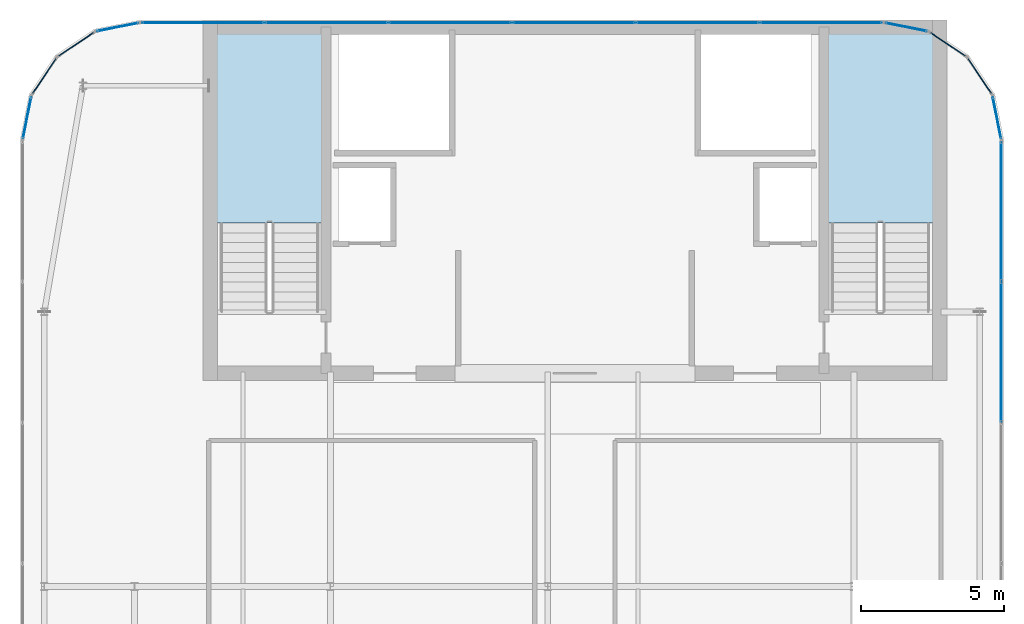
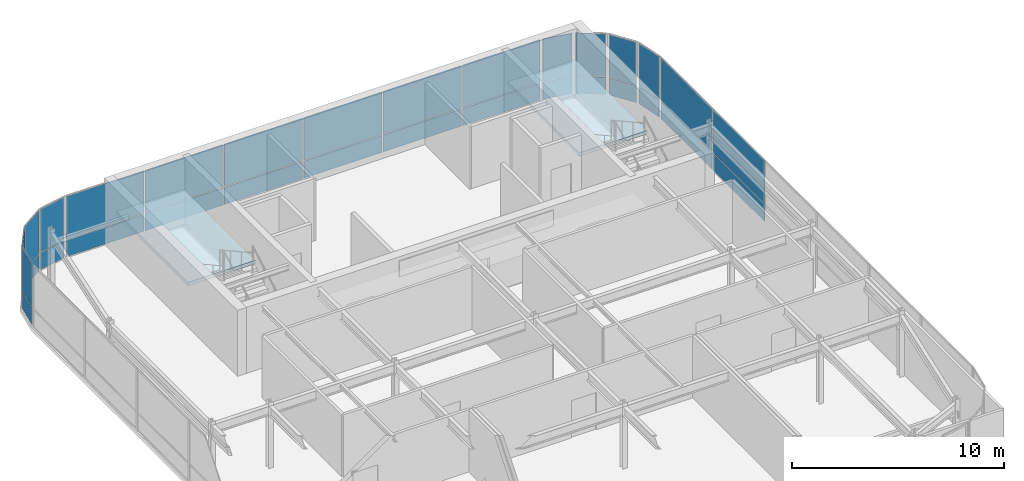
# One storey, part 30 of 36: 32 plates, 2 slabs, 12 elements without a shape of their own.
"""IFC4 building model written with IfcOpenShell, lengths in metres."""

import ifcopenshell
import ifcopenshell.guid

model = None  # the IFC model being written
_history = None  # IfcOwnerHistory: only IFC2X3 demands one
_inside = {}  # id of a spatial element -> (the spatial element, [elements in it])
_under = {}  # id of a project, library or spatial element -> (it, [spatial elements below it])
_declared = {}  # id of a project -> (the project, [libraries it declares])
_typed = {}  # id of a type object -> (the type object, [elements of that type])
_made_of = {}  # id of a material, layer set ... -> (it, [elements and type objects made of it])


def new_model(schema):
    """Start an empty IFC model of exactly this schema.

    Asked for "IFC4X3", IfcOpenShell would pick the latest addendum, in which some entities
    have other attributes; the version numbers below select the first issue.
    IFC2X3 requires an IfcOwnerHistory on every rooted entity: one is made here for all.
    """
    global model, _history
    if schema == "IFC4X3":
        model = ifcopenshell.file(schema_version=(4, 3, 0, 0))
    else:
        model = ifcopenshell.file(schema=schema)
    _inside.clear()
    _under.clear()
    _declared.clear()
    _typed.clear()
    _made_of.clear()
    _history = None
    if model.schema == "IFC2X3":
        org = make("IfcOrganization", Name="unknown")
        user = make(
            "IfcPersonAndOrganization",
            ThePerson=make("IfcPerson", FamilyName="unknown"),
            TheOrganization=org,
        )
        app = make(
            "IfcApplication",
            ApplicationDeveloper=org,
            Version="unknown",
            ApplicationFullName="unknown",
            ApplicationIdentifier="unknown",
        )
        _history = make(
            "IfcOwnerHistory",
            OwningUser=user,
            OwningApplication=app,
            ChangeAction="ADDED",
            CreationDate=0,
        )
    return model


def make(cls, **values):
    """One entity of the class cls with the attributes given. An attribute that is None is left unset."""
    return model.create_entity(
        cls, **{name: value for name, value in values.items() if value is not None}
    )


def rooted(cls, **values):
    """An entity with a GlobalId (a new one), such as an element, a storey or a relation."""
    return make(cls, GlobalId=ifcopenshell.guid.new(), OwnerHistory=_history, **values)


def si_unit(unit_type, name, prefix=None):
    """IfcSIUnit, for example si_unit("LENGTHUNIT", "METRE", prefix="MILLI")."""
    return make("IfcSIUnit", UnitType=unit_type, Prefix=prefix, Name=name)


def assignment(units):
    """IfcUnitAssignment: the units of a project."""
    return None if units is None else make("IfcUnitAssignment", Units=units)


def point(xyz):
    """IfcCartesianPoint."""
    return None if xyz is None else make("IfcCartesianPoint", Coordinates=xyz)


def direction(xyz):
    """IfcDirection."""
    return None if xyz is None else make("IfcDirection", DirectionRatios=xyz)


def frame(location, z_axis=None, x_axis=None):
    """IfcAxis2Placement3D, a coordinate frame: its origin and axes. An axis left out is left unset."""
    return make(
        "IfcAxis2Placement3D",
        Location=point(location),
        Axis=direction(z_axis),
        RefDirection=direction(x_axis),
    )


def frame_2d(location, x_axis=None):
    """IfcAxis2Placement2D, a coordinate frame in the plane: its origin and x axis."""
    return make(
        "IfcAxis2Placement2D", Location=point(location), RefDirection=direction(x_axis)
    )


def origin():
    """The frame at (0, 0, 0) with its axes left unset."""
    return frame((0.0, 0.0, 0.0))


def origin_2d():
    """The frame at (0, 0) in the plane with its x axis left unset."""
    return frame_2d((0.0, 0.0))


def place(relative_to, where):
    """IfcLocalPlacement: puts the frame where relative to a parent placement (None: the world)."""
    return make(
        "IfcLocalPlacement", PlacementRelTo=relative_to, RelativePlacement=where
    )


def context(
    kind, dimensions, precision=None, world=None, true_north=None, identifier=None
):
    """IfcGeometricRepresentationContext, for example the 3D "Model" context."""
    return make(
        "IfcGeometricRepresentationContext",
        ContextIdentifier=identifier,
        ContextType=kind,
        CoordinateSpaceDimension=dimensions,
        Precision=precision,
        WorldCoordinateSystem=world,
        TrueNorth=true_north,
    )


def subcontext(parent, identifier, kind, view, scale=None):
    """IfcGeometricRepresentationSubContext, for example "Body" below "Model"."""
    return make(
        "IfcGeometricRepresentationSubContext",
        ContextIdentifier=identifier,
        ContextType=kind,
        ParentContext=parent,
        TargetScale=scale,
        TargetView=view,
    )


def project(units=None, contexts=None):
    """IfcProject with its units and contexts."""
    return rooted(
        "IfcProject",
        Name="project",
        RepresentationContexts=contexts,
        UnitsInContext=assignment(units),
    )


def spatial(cls, under=None, at=None, **own):
    """A site, building, storey or space (cls), placed at a placement, below another one or the project."""
    s = rooted(cls, ObjectPlacement=at, **own)
    if under is not None:
        _under.setdefault(under.id(), (under, []))[1].append(s)
    return s


def polyline(points):
    """IfcPolyline through the points."""
    return make("IfcPolyline", Points=[point(p) for p in points])


def profile(cls, at=None, kind="AREA", **sizes):
    """A parametric profile (cls). Its sizes go by their IFC names, for example OverallWidth=200.0."""
    return make(cls, ProfileType=kind, Position=at, **sizes)


def rectangle(**sizes):
    """IfcRectangleProfileDef."""
    return profile("IfcRectangleProfileDef", **sizes)


def outline(outer, holes=None, kind="AREA"):
    """IfcArbitraryClosedProfileDef: a profile drawn as a closed curve; with holes, ...WithVoids."""
    if holes is None:
        return make("IfcArbitraryClosedProfileDef", ProfileType=kind, OuterCurve=outer)
    return make(
        "IfcArbitraryProfileDefWithVoids",
        ProfileType=kind,
        OuterCurve=outer,
        InnerCurves=holes,
    )


def extrude(swept, where, along, depth):
    """IfcExtrudedAreaSolid: the profile swept, set in the frame where, extruded along a direction by depth."""
    return make(
        "IfcExtrudedAreaSolid",
        SweptArea=swept,
        Position=where,
        ExtrudedDirection=direction(along),
        Depth=depth,
    )


def shape(context_of_items, identifier, shape_type, items):
    """IfcShapeRepresentation: the items that make up one representation, for example the "Body"."""
    return make(
        "IfcShapeRepresentation",
        ContextOfItems=context_of_items,
        RepresentationIdentifier=identifier,
        RepresentationType=shape_type,
        Items=items,
    )


def source(mapping_origin, context_of_items, identifier, shape_type, items):
    """IfcRepresentationMap: a shape defined once, which mapped items show again and again."""
    return make(
        "IfcRepresentationMap",
        MappingOrigin=mapping_origin,
        MappedRepresentation=shape(context_of_items, identifier, shape_type, items),
    )


def transform(
    local_origin,
    x_axis=None,
    y_axis=None,
    z_axis=None,
    scale=None,
    scale2=None,
    scale3=None,
    uniform=True,
):
    """IfcCartesianTransformationOperator3D, or its non-uniform kind. x_axis, y_axis, z_axis: its Axis1, 2, 3."""
    if uniform:
        return make(
            "IfcCartesianTransformationOperator3D",
            Axis1=direction(x_axis),
            Axis2=direction(y_axis),
            LocalOrigin=point(local_origin),
            Scale=scale,
            Axis3=direction(z_axis),
        )
    return make(
        "IfcCartesianTransformationOperator3DnonUniform",
        Axis1=direction(x_axis),
        Axis2=direction(y_axis),
        LocalOrigin=point(local_origin),
        Scale=scale,
        Axis3=direction(z_axis),
        Scale2=scale2,
        Scale3=scale3,
    )


def mapped(mapping_source, mapping_target):
    """IfcMappedItem: shows the shape of a source again, moved by a transform."""
    return make(
        "IfcMappedItem", MappingSource=mapping_source, MappingTarget=mapping_target
    )


def material(Name=None, Category=None):
    """IfcMaterial."""
    return make("IfcMaterial", Name=Name, Category=Category)


def layer(
    of_material, thickness, ventilated=None, Name=None, Category=None, Priority=None
):
    """IfcMaterialLayer: one layer of a wall or slab, of a material (None: an air gap)."""
    return make(
        "IfcMaterialLayer",
        Material=of_material,
        LayerThickness=thickness,
        IsVentilated=ventilated,
        Name=Name,
        Category=Category,
        Priority=Priority,
    )


def layer_set(layers, Name=None):
    """IfcMaterialLayerSet."""
    return make("IfcMaterialLayerSet", MaterialLayers=layers, LayerSetName=Name)


def made_of(thing, what):
    """Note that an element or type object is made of a material, layer set ...; save() writes the relation."""
    if what is not None:
        _made_of.setdefault(what.id(), (what, []))[1].append(thing)
    return thing


def type_object(cls, material=None, **own):
    """A type object (cls), such as IfcWallType, which elements share."""
    return made_of(rooted(cls, **own), material)


def type_shapes(of_type, sources):
    """Give a type object the sources (RepresentationMaps) that its elements show as mapped items."""
    of_type.RepresentationMaps = sources


def element(
    cls,
    number,
    at=None,
    inside=None,
    cuts=None,
    type_object=None,
    material=None,
    context=None,
    identifier="Body",
    shape_type=None,
    held_by="IfcProductDefinitionShape",
    body=None,
    shapes=None,
    **own,
):
    """One element of the class cls, such as IfcWall. Its Tag is "e" and its number.

    at: its placement. inside: the storey or other place that contains it. cuts: it is an
    opening in that element (IfcRelVoidsElement). A single representation is given by context,
    identifier, shape_type and body (its items); several are given by shapes. held_by: the class
    of the entity that holds the representations. save() writes the other relations.
    """
    e = rooted(cls, Tag="e%d" % number, ObjectPlacement=at, **own)
    if body is not None:
        shapes = [shape(context, identifier, shape_type, body)]
    if shapes is not None:
        e.Representation = make(held_by, Representations=shapes)
    if inside is not None:
        _inside.setdefault(inside.id(), (inside, []))[1].append(e)
    if cuts is not None:
        rooted(
            "IfcRelVoidsElement", RelatingBuildingElement=cuts, RelatedOpeningElement=e
        )
    if type_object is not None:
        _typed.setdefault(type_object.id(), (type_object, []))[1].append(e)
    return made_of(e, material)


def aggregate(whole, parts):
    """IfcRelAggregates: a whole, such as a stair, and the parts it consists of."""
    return rooted("IfcRelAggregates", RelatingObject=whole, RelatedObjects=parts)


def save(model, path):
    """Write the relations noted so far, then the file.

    IfcRelAggregates (storeys below a building ...), IfcRelContainedInSpatialStructure (elements
    in a storey), IfcRelDefinesByType, IfcRelAssociatesMaterial and IfcRelDeclares: one each for
    every whole, place, type object, material and project.
    """
    for whole, parts in _under.values():
        aggregate(whole, parts)
    for where, things in _inside.values():
        rooted(
            "IfcRelContainedInSpatialStructure",
            RelatedElements=things,
            RelatingStructure=where,
        )
    for kind, things in _typed.values():
        rooted("IfcRelDefinesByType", RelatedObjects=things, RelatingType=kind)
    for what, things in _made_of.values():
        rooted("IfcRelAssociatesMaterial", RelatedObjects=things, RelatingMaterial=what)
    for by, libraries in _declared.values():
        rooted("IfcRelDeclares", RelatingContext=by, RelatedDefinitions=libraries)
    model.write(path)


model = new_model("IFC4")

# Units and contexts
model_context = context("Model", 3, precision=1e-05, world=origin(), true_north=direction((0.0, 1.0)))
body_context = subcontext(model_context, "Body", "Model", "MODEL_VIEW")
ifc_project = project(units=[si_unit("LENGTHUNIT", "METRE"), si_unit("AREAUNIT", "SQUARE_METRE"), si_unit("VOLUMEUNIT", "CUBIC_METRE"), si_unit("PLANEANGLEUNIT", "RADIAN"), si_unit("MASSUNIT", "GRAM", prefix="KILO")], contexts=[model_context])

# Site, building, storey
site_placement = place(None, origin())
site = spatial("IfcSite", under=ifc_project, at=site_placement, CompositionType="ELEMENT")
building_placement = place(site_placement, origin())
building = spatial("IfcBuilding", under=site, at=building_placement, Name="Tolvann Quenvar Hotel", CompositionType="ELEMENT")
storey_placement = place(building_placement, frame((0.0, 0.0, 306.14990234375)))
storey = spatial("IfcBuildingStorey", under=building, at=storey_placement, Name="L81", CompositionType="ELEMENT", Elevation=306.14990234375)

# Stair, slab
ifc_material_1 = material(Name="Concrete N40 (40 MPa)", Category="concrete")
stair_type = type_object("IfcStairType", Name="STAIR", PredefinedType="HALF_TURN_STAIR", material=ifc_material_1)
stair_1_placement = place(storey_placement, origin())
stair_1 = element("IfcStair", 1, at=stair_1_placement, inside=storey, type_object=stair_type, Name="L81 ST-C1", PredefinedType="HALF_TURN_STAIR")
ifc_layer_1 = layer(ifc_material_1, 0.199951171875)
ifc_layer_set_1 = layer_set([ifc_layer_1], Name="Concrete N40 (40 MPa)")
slab_type = type_object("IfcSlabType", Name="SLAB_LANDING", PredefinedType="LANDING", material=ifc_layer_set_1)
slab_1_placement = place(storey_placement, frame((0.0, 0.0, 1.7001953125)))
slab_1 = element("IfcSlab", 2, at=slab_1_placement, type_object=slab_type, Name="ST-C1 landing 1", PredefinedType="LANDING", context=body_context, shape_type="SweptSolid", body=[
    extrude(outline(polyline([(14.179931640625, 37.10498046875), (14.179931640625, 43.8798828125), (10.469970703125, 43.8798828125), (10.469970703125, 37.10498046875), (14.179931640625, 37.10498046875)])), origin(), (0.0, 0.0, 1.0), 0.199951171875),
])
aggregate(stair_1, [slab_1])

stair_2_placement = place(storey_placement, origin())
stair_2 = element("IfcStair", 3, at=stair_2_placement, inside=storey, type_object=stair_type, Name="L81 ST-C2", PredefinedType="HALF_TURN_STAIR")
slab_2_placement = place(storey_placement, frame((0.0, 0.0, 1.7001953125)))
slab_2 = element("IfcSlab", 4, at=slab_2_placement, type_object=slab_type, Name="ST-C2 landing 1", PredefinedType="LANDING", context=body_context, shape_type="SweptSolid", body=[
    extrude(outline(polyline([(35.530029296875, 37.10498046875), (35.530029296875, 43.8798828125), (31.820068359375, 43.8798828125), (31.820068359375, 37.10498046875), (35.530029296875, 37.10498046875)])), origin(), (0.0, 0.0, 1.0), 0.199951171875),
])
aggregate(stair_2, [slab_2])

# Curtain wall, plate
ifc_material_2 = material(Name="Thermally broken anodised architectural aluminium 6063-T6 and laminated low-E glass", Category="aluminium")
ifc_layer_2 = layer(ifc_material_2, 0.179931640625)
ifc_layer_set_2 = layer_set([ifc_layer_2], Name="Thermally broken anodised architectural aluminium 6063-T6 and laminated low-E glass")
curtain_wall_type = type_object("IfcCurtainWallType", Name="CW_SYS_LANT_06", PredefinedType="USERDEFINED", material=ifc_layer_set_2)
curtain_wall_1_placement = place(storey_placement, origin())
curtain_wall_1 = element("IfcCurtainWall", 5, at=curtain_wall_1_placement, inside=storey, type_object=curtain_wall_type, Name="Curtain Wall CW-LANT-06 (CWR-L81-E11)", ObjectType="UNITISED CURTAIN WALL", PredefinedType="USERDEFINED")
ifc_material_3 = material(Name="Diffused translucent ceramic-frit laminated lantern glass", Category="glass")
ifc_layer_3 = layer(ifc_material_3, 0.031982421875)
ifc_layer_set_3 = layer_set([ifc_layer_3], Name="Diffused translucent ceramic-frit laminated lantern glass")
plate_type = type_object("IfcPlateType", Name="CW_PAN_LANT_32", PredefinedType="CURTAIN_PANEL", material=ifc_layer_set_3)
shared_shape_1 = source(origin(), body_context, "Body", "SweptSolid", [
    extrude(rectangle(XDim=1.439208984375, YDim=0.031982421875, at=origin_2d()), origin(), (0.0, 0.0, 1.0), 0.97509765625),
])
plate_1_placement = place(storey_placement, frame((37.150146484375, 42.238525390625, 0.050048828125), z_axis=(0.0, 0.0, 1.0), x_axis=(-0.555655769644, 0.831412452193, 0.0)))
plate_1 = element("IfcPlate", 6, at=plate_1_placement, type_object=plate_type, Name="CW-LANT-06 panel 1.1", PredefinedType="CURTAIN_PANEL", context=body_context, shape_type="MappedRepresentation", body=[
    mapped(shared_shape_1, transform((0.0, 0.0, 0.0), x_axis=(1.0, 0.0, 0.0), y_axis=(0.0, 1.0, 0.0), z_axis=(0.0, 0.0, 1.0), scale=1.0)),
])

curtain_wall_2_placement = place(storey_placement, origin())
curtain_wall_2 = element("IfcCurtainWall", 7, at=curtain_wall_2_placement, inside=storey, type_object=curtain_wall_type, Name="Curtain Wall CW-LANT-06 (CWR-L81-E12)", ObjectType="UNITISED CURTAIN WALL", PredefinedType="USERDEFINED")
plate_2_placement = place(storey_placement, frame((36.03857421875, 43.350341796875, 0.050048828125), z_axis=(0.0, 0.0, 1.0), x_axis=(-0.831412452193, 0.555655769644, 0.0)))
plate_2 = element("IfcPlate", 8, at=plate_2_placement, type_object=plate_type, Name="CW-LANT-06 panel 1.1", PredefinedType="CURTAIN_PANEL", context=body_context, shape_type="MappedRepresentation", body=[
    mapped(shared_shape_1, transform((0.0, 0.0, 0.0), x_axis=(1.0, 0.0, 0.0), y_axis=(0.0, 1.0, 0.0), z_axis=(0.0, 0.0, 1.0), scale=1.0)),
])

curtain_wall_3_placement = place(storey_placement, origin())
curtain_wall_3 = element("IfcCurtainWall", 9, at=curtain_wall_3_placement, inside=storey, type_object=curtain_wall_type, Name="Curtain Wall CW-LANT-06 (CWR-L81-E16)", ObjectType="UNITISED CURTAIN WALL", PredefinedType="USERDEFINED")
plate_3_placement = place(storey_placement, frame((5.5615234375, 43.350341796875, 0.050048828125), z_axis=(0.0, 0.0, 1.0), x_axis=(-0.831412452193, -0.555655769644, 0.0)))
plate_3 = element("IfcPlate", 10, at=plate_3_placement, type_object=plate_type, Name="CW-LANT-06 panel 1.1", PredefinedType="CURTAIN_PANEL", context=body_context, shape_type="MappedRepresentation", body=[
    mapped(shared_shape_1, transform((0.0, 0.0, 0.0), x_axis=(1.0, 0.0, 0.0), y_axis=(0.0, 1.0, 0.0), z_axis=(0.0, 0.0, 1.0), scale=1.0)),
])

curtain_wall_4_placement = place(storey_placement, origin())
curtain_wall_4 = element("IfcCurtainWall", 11, at=curtain_wall_4_placement, inside=storey, type_object=curtain_wall_type, Name="Curtain Wall CW-LANT-06 (CWR-L81-E17)", ObjectType="UNITISED CURTAIN WALL", PredefinedType="USERDEFINED")
plate_4_placement = place(storey_placement, frame((4.44970703125, 42.238525390625, 0.050048828125), z_axis=(0.0, 0.0, 1.0), x_axis=(-0.555655769644, -0.831412452193, 0.0)))
plate_4 = element("IfcPlate", 12, at=plate_4_placement, type_object=plate_type, Name="CW-LANT-06 panel 1.1", PredefinedType="CURTAIN_PANEL", context=body_context, shape_type="MappedRepresentation", body=[
    mapped(shared_shape_1, transform((0.0, 0.0, 0.0), x_axis=(1.0, 0.0, 0.0), y_axis=(0.0, 1.0, 0.0), z_axis=(0.0, 0.0, 1.0), scale=1.0)),
])

# Plate
shared_shape_2 = source(origin(), body_context, "Body", "SweptSolid", [
    extrude(rectangle(XDim=1.439208984375, YDim=0.031982421875, at=origin_2d()), origin(), (0.0, 0.0, 1.0), 2.455078125),
])
plate_5_placement = place(storey_placement, frame((37.150146484375, 42.238525390625, 1.074951171875), z_axis=(0.0, 0.0, 1.0), x_axis=(-0.555655769644, 0.831412452193, 0.0)))
plate_5 = element("IfcPlate", 13, at=plate_5_placement, type_object=plate_type, Name="CW-LANT-06 panel 1.2", PredefinedType="CURTAIN_PANEL", context=body_context, shape_type="MappedRepresentation", body=[
    mapped(shared_shape_2, transform((0.0, 0.0, 0.0), x_axis=(1.0, 0.0, 0.0), y_axis=(0.0, 1.0, 0.0), z_axis=(0.0, 0.0, 1.0), scale=1.0)),
])

aggregate(curtain_wall_1, [plate_1, plate_5])

plate_6_placement = place(storey_placement, frame((36.03857421875, 43.350341796875, 1.074951171875), z_axis=(0.0, 0.0, 1.0), x_axis=(-0.831412452193, 0.555655769644, 0.0)))
plate_6 = element("IfcPlate", 14, at=plate_6_placement, type_object=plate_type, Name="CW-LANT-06 panel 1.2", PredefinedType="CURTAIN_PANEL", context=body_context, shape_type="MappedRepresentation", body=[
    mapped(shared_shape_2, transform((0.0, 0.0, 0.0), x_axis=(1.0, 0.0, 0.0), y_axis=(0.0, 1.0, 0.0), z_axis=(0.0, 0.0, 1.0), scale=1.0)),
])

aggregate(curtain_wall_2, [plate_2, plate_6])

plate_7_placement = place(storey_placement, frame((5.5615234375, 43.350341796875, 1.074951171875), z_axis=(0.0, 0.0, 1.0), x_axis=(-0.831412452193, -0.555655769644, 0.0)))
plate_7 = element("IfcPlate", 15, at=plate_7_placement, type_object=plate_type, Name="CW-LANT-06 panel 1.2", PredefinedType="CURTAIN_PANEL", context=body_context, shape_type="MappedRepresentation", body=[
    mapped(shared_shape_2, transform((0.0, 0.0, 0.0), x_axis=(1.0, 0.0, 0.0), y_axis=(0.0, 1.0, 0.0), z_axis=(0.0, 0.0, 1.0), scale=1.0)),
])

aggregate(curtain_wall_3, [plate_3, plate_7])

plate_8_placement = place(storey_placement, frame((4.44970703125, 42.238525390625, 1.074951171875), z_axis=(0.0, 0.0, 1.0), x_axis=(-0.555655769644, -0.831412452193, 0.0)))
plate_8 = element("IfcPlate", 16, at=plate_8_placement, type_object=plate_type, Name="CW-LANT-06 panel 1.2", PredefinedType="CURTAIN_PANEL", context=body_context, shape_type="MappedRepresentation", body=[
    mapped(shared_shape_2, transform((0.0, 0.0, 0.0), x_axis=(1.0, 0.0, 0.0), y_axis=(0.0, 1.0, 0.0), z_axis=(0.0, 0.0, 1.0), scale=1.0)),
])

aggregate(curtain_wall_4, [plate_4, plate_8])

# Curtain wall, plate
curtain_wall_5_placement = place(storey_placement, origin())
curtain_wall_5 = element("IfcCurtainWall", 17, at=curtain_wall_5_placement, inside=storey, type_object=curtain_wall_type, Name="Curtain Wall CW-LANT-06 (CWR-L81-E10)", ObjectType="UNITISED CURTAIN WALL", PredefinedType="USERDEFINED")
shared_shape_3 = source(origin(), body_context, "Body", "SweptSolid", [
    extrude(rectangle(XDim=1.456787109375, YDim=0.031982421875, at=origin_2d()), origin(), (0.0, 0.0, 1.0), 0.97509765625),
])
plate_9_placement = place(storey_placement, frame((37.753662109375, 40.777587890625, 0.050048828125), z_axis=(0.0, 0.0, 1.0), x_axis=(-0.195061569369, 0.980790999222, 0.0)))
plate_9 = element("IfcPlate", 18, at=plate_9_placement, type_object=plate_type, Name="CW-LANT-06 panel 1.1", PredefinedType="CURTAIN_PANEL", context=body_context, shape_type="MappedRepresentation", body=[
    mapped(shared_shape_3, transform((0.0, 0.0, 0.0), x_axis=(1.0, 0.0, 0.0), y_axis=(0.0, 1.0, 0.0), z_axis=(0.0, 0.0, 1.0), scale=1.0)),
])

curtain_wall_6_placement = place(storey_placement, origin())
curtain_wall_6 = element("IfcCurtainWall", 19, at=curtain_wall_6_placement, inside=storey, type_object=curtain_wall_type, Name="Curtain Wall CW-LANT-06 (CWR-L81-E13)", ObjectType="UNITISED CURTAIN WALL", PredefinedType="USERDEFINED")
plate_10_placement = place(storey_placement, frame((34.577392578125, 43.95361328125, 0.050048828125), z_axis=(0.0, 0.0, 1.0), x_axis=(-0.980790999222, 0.195061569369, 0.0)))
plate_10 = element("IfcPlate", 20, at=plate_10_placement, type_object=plate_type, Name="CW-LANT-06 panel 1.1", PredefinedType="CURTAIN_PANEL", context=body_context, shape_type="MappedRepresentation", body=[
    mapped(shared_shape_3, transform((0.0, 0.0, 0.0), x_axis=(1.0, 0.0, 0.0), y_axis=(0.0, 1.0, 0.0), z_axis=(0.0, 0.0, 1.0), scale=1.0)),
])

curtain_wall_7_placement = place(storey_placement, origin())
curtain_wall_7 = element("IfcCurtainWall", 21, at=curtain_wall_7_placement, inside=storey, type_object=curtain_wall_type, Name="Curtain Wall CW-LANT-06 (CWR-L81-E15)", ObjectType="UNITISED CURTAIN WALL", PredefinedType="USERDEFINED")
plate_11_placement = place(storey_placement, frame((7.0224609375, 43.95361328125, 0.050048828125), z_axis=(0.0, 0.0, 1.0), x_axis=(-0.980790999222, -0.195061569369, 0.0)))
plate_11 = element("IfcPlate", 22, at=plate_11_placement, type_object=plate_type, Name="CW-LANT-06 panel 1.1", PredefinedType="CURTAIN_PANEL", context=body_context, shape_type="MappedRepresentation", body=[
    mapped(shared_shape_3, transform((0.0, 0.0, 0.0), x_axis=(1.0, 0.0, 0.0), y_axis=(0.0, 1.0, 0.0), z_axis=(0.0, 0.0, 1.0), scale=1.0)),
])

curtain_wall_8_placement = place(storey_placement, origin())
curtain_wall_8 = element("IfcCurtainWall", 23, at=curtain_wall_8_placement, inside=storey, type_object=curtain_wall_type, Name="Curtain Wall CW-LANT-06 (CWR-L81-E18)", ObjectType="UNITISED CURTAIN WALL", PredefinedType="USERDEFINED")
plate_12_placement = place(storey_placement, frame((3.846435546875, 40.777587890625, 0.050048828125), z_axis=(0.0, 0.0, 1.0), x_axis=(-0.195061569369, -0.980790999222, 0.0)))
plate_12 = element("IfcPlate", 24, at=plate_12_placement, type_object=plate_type, Name="CW-LANT-06 panel 1.1", PredefinedType="CURTAIN_PANEL", context=body_context, shape_type="MappedRepresentation", body=[
    mapped(shared_shape_3, transform((0.0, 0.0, 0.0), x_axis=(1.0, 0.0, 0.0), y_axis=(0.0, 1.0, 0.0), z_axis=(0.0, 0.0, 1.0), scale=1.0)),
])

# Plate
shared_shape_4 = source(origin(), body_context, "Body", "SweptSolid", [
    extrude(rectangle(XDim=1.456787109375, YDim=0.031982421875, at=origin_2d()), origin(), (0.0, 0.0, 1.0), 2.455078125),
])
plate_13_placement = place(storey_placement, frame((37.753662109375, 40.777587890625, 1.074951171875), z_axis=(0.0, 0.0, 1.0), x_axis=(-0.195061569369, 0.980790999222, 0.0)))
plate_13 = element("IfcPlate", 25, at=plate_13_placement, type_object=plate_type, Name="CW-LANT-06 panel 1.2", PredefinedType="CURTAIN_PANEL", context=body_context, shape_type="MappedRepresentation", body=[
    mapped(shared_shape_4, transform((0.0, 0.0, 0.0), x_axis=(1.0, 0.0, 0.0), y_axis=(0.0, 1.0, 0.0), z_axis=(0.0, 0.0, 1.0), scale=1.0)),
])

aggregate(curtain_wall_5, [plate_9, plate_13])

plate_14_placement = place(storey_placement, frame((34.577392578125, 43.95361328125, 1.074951171875), z_axis=(0.0, 0.0, 1.0), x_axis=(-0.980790999222, 0.195061569369, 0.0)))
plate_14 = element("IfcPlate", 26, at=plate_14_placement, type_object=plate_type, Name="CW-LANT-06 panel 1.2", PredefinedType="CURTAIN_PANEL", context=body_context, shape_type="MappedRepresentation", body=[
    mapped(shared_shape_4, transform((0.0, 0.0, 0.0), x_axis=(1.0, 0.0, 0.0), y_axis=(0.0, 1.0, 0.0), z_axis=(0.0, 0.0, 1.0), scale=1.0)),
])

aggregate(curtain_wall_6, [plate_10, plate_14])

plate_15_placement = place(storey_placement, frame((7.0224609375, 43.95361328125, 1.074951171875), z_axis=(0.0, 0.0, 1.0), x_axis=(-0.980790999222, -0.195061569369, 0.0)))
plate_15 = element("IfcPlate", 27, at=plate_15_placement, type_object=plate_type, Name="CW-LANT-06 panel 1.2", PredefinedType="CURTAIN_PANEL", context=body_context, shape_type="MappedRepresentation", body=[
    mapped(shared_shape_4, transform((0.0, 0.0, 0.0), x_axis=(1.0, 0.0, 0.0), y_axis=(0.0, 1.0, 0.0), z_axis=(0.0, 0.0, 1.0), scale=1.0)),
])

aggregate(curtain_wall_7, [plate_11, plate_15])

plate_16_placement = place(storey_placement, frame((3.846435546875, 40.777587890625, 1.074951171875), z_axis=(0.0, 0.0, 1.0), x_axis=(-0.195061569369, -0.980790999222, 0.0)))
plate_16 = element("IfcPlate", 28, at=plate_16_placement, type_object=plate_type, Name="CW-LANT-06 panel 1.2", PredefinedType="CURTAIN_PANEL", context=body_context, shape_type="MappedRepresentation", body=[
    mapped(shared_shape_4, transform((0.0, 0.0, 0.0), x_axis=(1.0, 0.0, 0.0), y_axis=(0.0, 1.0, 0.0), z_axis=(0.0, 0.0, 1.0), scale=1.0)),
])

aggregate(curtain_wall_8, [plate_12, plate_16])

# Curtain wall, plates
curtain_wall_9_placement = place(storey_placement, origin())
curtain_wall_9 = element("IfcCurtainWall", 29, at=curtain_wall_9_placement, inside=storey, type_object=curtain_wall_type, Name="Curtain Wall CW-LANT-06 (CWR-L81-E14)", ObjectType="UNITISED CURTAIN WALL", PredefinedType="USERDEFINED")
shared_shape_5 = source(origin(), body_context, "Body", "SweptSolid", [
    extrude(rectangle(XDim=4.22998046875, YDim=0.031982421875, at=origin_2d()), origin(), (0.0, 0.0, 1.0), 0.97509765625),
])
plate_17_placement = place(storey_placement, frame((31.602783203125, 44.110107421875, 0.050048828125), z_axis=(0.0, 0.0, 1.0), x_axis=(-1.0, 0.0, 0.0)))
plate_17 = element("IfcPlate", 30, at=plate_17_placement, type_object=plate_type, Name="CW-LANT-06 panel 1.1", PredefinedType="CURTAIN_PANEL", context=body_context, shape_type="MappedRepresentation", body=[
    mapped(shared_shape_5, transform((0.0, 0.0, 0.0), x_axis=(1.0, 0.0, 0.0), y_axis=(0.0, 1.0, 0.0), z_axis=(0.0, 0.0, 1.0), scale=1.0)),
])
plate_18_placement = place(storey_placement, frame((9.997314453125, 44.110107421875, 0.050048828125), z_axis=(0.0, 0.0, 1.0), x_axis=(-1.0, 0.0, 0.0)))
plate_18 = element("IfcPlate", 31, at=plate_18_placement, type_object=plate_type, Name="CW-LANT-06 panel 6.1", PredefinedType="CURTAIN_PANEL", context=body_context, shape_type="MappedRepresentation", body=[
    mapped(shared_shape_5, transform((0.0, 0.0, 0.0), x_axis=(1.0, 0.0, 0.0), y_axis=(0.0, 1.0, 0.0), z_axis=(0.0, 0.0, 1.0), scale=1.0)),
])
shared_shape_6 = source(origin(), body_context, "Body", "SweptSolid", [
    extrude(rectangle(XDim=4.22998046875, YDim=0.031982421875, at=origin_2d()), origin(), (0.0, 0.0, 1.0), 2.455078125),
])
plate_19_placement = place(storey_placement, frame((31.602783203125, 44.110107421875, 1.074951171875), z_axis=(0.0, 0.0, 1.0), x_axis=(-1.0, 0.0, 0.0)))
plate_19 = element("IfcPlate", 32, at=plate_19_placement, type_object=plate_type, Name="CW-LANT-06 panel 1.2", PredefinedType="CURTAIN_PANEL", context=body_context, shape_type="MappedRepresentation", body=[
    mapped(shared_shape_6, transform((0.0, 0.0, 0.0), x_axis=(1.0, 0.0, 0.0), y_axis=(0.0, 1.0, 0.0), z_axis=(0.0, 0.0, 1.0), scale=1.0)),
])
plate_20_placement = place(storey_placement, frame((9.997314453125, 44.110107421875, 1.074951171875), z_axis=(0.0, 0.0, 1.0), x_axis=(-1.0, 0.0, 0.0)))
plate_20 = element("IfcPlate", 33, at=plate_20_placement, type_object=plate_type, Name="CW-LANT-06 panel 6.2", PredefinedType="CURTAIN_PANEL", context=body_context, shape_type="MappedRepresentation", body=[
    mapped(shared_shape_6, transform((0.0, 0.0, 0.0), x_axis=(1.0, 0.0, 0.0), y_axis=(0.0, 1.0, 0.0), z_axis=(0.0, 0.0, 1.0), scale=1.0)),
])
shared_shape_7 = source(origin(), body_context, "Body", "SweptSolid", [
    extrude(rectangle(XDim=4.2626953125, YDim=0.031982421875, at=origin_2d()), origin(), (0.0, 0.0, 1.0), 0.97509765625),
])
plate_21_placement = place(storey_placement, frame((27.29150390625, 44.110107421875, 0.050048828125), z_axis=(0.0, 0.0, 1.0), x_axis=(-1.0, 0.0, 0.0)))
plate_21 = element("IfcPlate", 34, at=plate_21_placement, type_object=plate_type, Name="CW-LANT-06 panel 2.1", PredefinedType="CURTAIN_PANEL", context=body_context, shape_type="MappedRepresentation", body=[
    mapped(shared_shape_7, transform((0.0, 0.0, 0.0), x_axis=(1.0, 0.0, 0.0), y_axis=(0.0, 1.0, 0.0), z_axis=(0.0, 0.0, 1.0), scale=1.0)),
])
plate_22_placement = place(storey_placement, frame((22.9638671875, 44.110107421875, 0.050048828125), z_axis=(0.0, 0.0, 1.0), x_axis=(-1.0, 0.0, 0.0)))
plate_22 = element("IfcPlate", 35, at=plate_22_placement, type_object=plate_type, Name="CW-LANT-06 panel 3.1", PredefinedType="CURTAIN_PANEL", context=body_context, shape_type="MappedRepresentation", body=[
    mapped(shared_shape_7, transform((0.0, 0.0, 0.0), x_axis=(1.0, 0.0, 0.0), y_axis=(0.0, 1.0, 0.0), z_axis=(0.0, 0.0, 1.0), scale=1.0)),
])
plate_23_placement = place(storey_placement, frame((18.63623046875, 44.110107421875, 0.050048828125), z_axis=(0.0, 0.0, 1.0), x_axis=(-1.0, 0.0, 0.0)))
plate_23 = element("IfcPlate", 36, at=plate_23_placement, type_object=plate_type, Name="CW-LANT-06 panel 4.1", PredefinedType="CURTAIN_PANEL", context=body_context, shape_type="MappedRepresentation", body=[
    mapped(shared_shape_7, transform((0.0, 0.0, 0.0), x_axis=(1.0, 0.0, 0.0), y_axis=(0.0, 1.0, 0.0), z_axis=(0.0, 0.0, 1.0), scale=1.0)),
])
plate_24_placement = place(storey_placement, frame((14.30859375, 44.110107421875, 0.050048828125), z_axis=(0.0, 0.0, 1.0), x_axis=(-1.0, 0.0, 0.0)))
plate_24 = element("IfcPlate", 37, at=plate_24_placement, type_object=plate_type, Name="CW-LANT-06 panel 5.1", PredefinedType="CURTAIN_PANEL", context=body_context, shape_type="MappedRepresentation", body=[
    mapped(shared_shape_7, transform((0.0, 0.0, 0.0), x_axis=(1.0, 0.0, 0.0), y_axis=(0.0, 1.0, 0.0), z_axis=(0.0, 0.0, 1.0), scale=1.0)),
])
shared_shape_8 = source(origin(), body_context, "Body", "SweptSolid", [
    extrude(rectangle(XDim=4.2626953125, YDim=0.031982421875, at=origin_2d()), origin(), (0.0, 0.0, 1.0), 2.455078125),
])
plate_25_placement = place(storey_placement, frame((27.29150390625, 44.110107421875, 1.074951171875), z_axis=(0.0, 0.0, 1.0), x_axis=(-1.0, 0.0, 0.0)))
plate_25 = element("IfcPlate", 38, at=plate_25_placement, type_object=plate_type, Name="CW-LANT-06 panel 2.2", PredefinedType="CURTAIN_PANEL", context=body_context, shape_type="MappedRepresentation", body=[
    mapped(shared_shape_8, transform((0.0, 0.0, 0.0), x_axis=(1.0, 0.0, 0.0), y_axis=(0.0, 1.0, 0.0), z_axis=(0.0, 0.0, 1.0), scale=1.0)),
])
plate_26_placement = place(storey_placement, frame((22.9638671875, 44.110107421875, 1.074951171875), z_axis=(0.0, 0.0, 1.0), x_axis=(-1.0, 0.0, 0.0)))
plate_26 = element("IfcPlate", 39, at=plate_26_placement, type_object=plate_type, Name="CW-LANT-06 panel 3.2", PredefinedType="CURTAIN_PANEL", context=body_context, shape_type="MappedRepresentation", body=[
    mapped(shared_shape_8, transform((0.0, 0.0, 0.0), x_axis=(1.0, 0.0, 0.0), y_axis=(0.0, 1.0, 0.0), z_axis=(0.0, 0.0, 1.0), scale=1.0)),
])
plate_27_placement = place(storey_placement, frame((18.63623046875, 44.110107421875, 1.074951171875), z_axis=(0.0, 0.0, 1.0), x_axis=(-1.0, 0.0, 0.0)))
plate_27 = element("IfcPlate", 40, at=plate_27_placement, type_object=plate_type, Name="CW-LANT-06 panel 4.2", PredefinedType="CURTAIN_PANEL", context=body_context, shape_type="MappedRepresentation", body=[
    mapped(shared_shape_8, transform((0.0, 0.0, 0.0), x_axis=(1.0, 0.0, 0.0), y_axis=(0.0, 1.0, 0.0), z_axis=(0.0, 0.0, 1.0), scale=1.0)),
])
plate_28_placement = place(storey_placement, frame((14.30859375, 44.110107421875, 1.074951171875), z_axis=(0.0, 0.0, 1.0), x_axis=(-1.0, 0.0, 0.0)))
plate_28 = element("IfcPlate", 41, at=plate_28_placement, type_object=plate_type, Name="CW-LANT-06 panel 5.2", PredefinedType="CURTAIN_PANEL", context=body_context, shape_type="MappedRepresentation", body=[
    mapped(shared_shape_8, transform((0.0, 0.0, 0.0), x_axis=(1.0, 0.0, 0.0), y_axis=(0.0, 1.0, 0.0), z_axis=(0.0, 0.0, 1.0), scale=1.0)),
])
aggregate(curtain_wall_9, [plate_17, plate_19, plate_21, plate_25, plate_22, plate_26, plate_23, plate_27, plate_24, plate_28, plate_18, plate_20])

curtain_wall_10_placement = place(storey_placement, origin())
curtain_wall_10 = element("IfcCurtainWall", 42, at=curtain_wall_10_placement, inside=storey, type_object=curtain_wall_type, Name="Curtain Wall CW-LANT-06 (CWR-L81-E09)", ObjectType="UNITISED CURTAIN WALL", PredefinedType="USERDEFINED")
shared_shape_9 = source(origin(), body_context, "Body", "SweptSolid", [
    extrude(rectangle(XDim=4.830078125, YDim=0.031982421875, at=origin_2d()), origin(), (0.0, 0.0, 1.0), 0.97509765625),
])
plate_29_placement = place(storey_placement, frame((37.909912109375, 37.502685546875, 0.050048828125), z_axis=(0.0, 0.0, 1.0), x_axis=(0.0, 1.0, 0.0)))
plate_29 = element("IfcPlate", 43, at=plate_29_placement, type_object=plate_type, Name="CW-LANT-06 panel 6.1", PredefinedType="CURTAIN_PANEL", context=body_context, shape_type="MappedRepresentation", body=[
    mapped(shared_shape_9, transform((0.0, 0.0, 0.0), x_axis=(1.0, 0.0, 0.0), y_axis=(0.0, 1.0, 0.0), z_axis=(0.0, 0.0, 1.0), scale=1.0)),
])
shared_shape_10 = source(origin(), body_context, "Body", "SweptSolid", [
    extrude(rectangle(XDim=4.830078125, YDim=0.031982421875, at=origin_2d()), origin(), (0.0, 0.0, 1.0), 2.455078125),
])
plate_30_placement = place(storey_placement, frame((37.909912109375, 37.502685546875, 1.074951171875), z_axis=(0.0, 0.0, 1.0), x_axis=(0.0, 1.0, 0.0)))
plate_30 = element("IfcPlate", 44, at=plate_30_placement, type_object=plate_type, Name="CW-LANT-06 panel 6.2", PredefinedType="CURTAIN_PANEL", context=body_context, shape_type="MappedRepresentation", body=[
    mapped(shared_shape_10, transform((0.0, 0.0, 0.0), x_axis=(1.0, 0.0, 0.0), y_axis=(0.0, 1.0, 0.0), z_axis=(0.0, 0.0, 1.0), scale=1.0)),
])
shared_shape_11 = source(origin(), body_context, "Body", "SweptSolid", [
    extrude(rectangle(XDim=4.862548828125, YDim=0.031982421875, at=origin_2d()), origin(), (0.0, 0.0, 1.0), 0.97509765625),
])
plate_31_placement = place(storey_placement, frame((37.909912109375, 32.59130859375, 0.050048828125), z_axis=(0.0, 0.0, 1.0), x_axis=(0.0, 1.0, 0.0)))
plate_31 = element("IfcPlate", 45, at=plate_31_placement, type_object=plate_type, Name="CW-LANT-06 panel 5.1", PredefinedType="CURTAIN_PANEL", context=body_context, shape_type="MappedRepresentation", body=[
    mapped(shared_shape_11, transform((0.0, 0.0, 0.0), x_axis=(1.0, 0.0, 0.0), y_axis=(0.0, 1.0, 0.0), z_axis=(0.0, 0.0, 1.0), scale=1.0)),
])
shared_shape_12 = source(origin(), body_context, "Body", "SweptSolid", [
    extrude(rectangle(XDim=4.862548828125, YDim=0.031982421875, at=origin_2d()), origin(), (0.0, 0.0, 1.0), 2.455078125),
])
type_shapes(plate_type, [shared_shape_1, shared_shape_2, shared_shape_3, shared_shape_4, shared_shape_5, shared_shape_6, shared_shape_7, shared_shape_8, shared_shape_9, shared_shape_10, shared_shape_11, shared_shape_12])
plate_32_placement = place(storey_placement, frame((37.909912109375, 32.59130859375, 1.074951171875), z_axis=(0.0, 0.0, 1.0), x_axis=(0.0, 1.0, 0.0)))
plate_32 = element("IfcPlate", 46, at=plate_32_placement, type_object=plate_type, Name="CW-LANT-06 panel 5.2", PredefinedType="CURTAIN_PANEL", context=body_context, shape_type="MappedRepresentation", body=[
    mapped(shared_shape_12, transform((0.0, 0.0, 0.0), x_axis=(1.0, 0.0, 0.0), y_axis=(0.0, 1.0, 0.0), z_axis=(0.0, 0.0, 1.0), scale=1.0)),
])
aggregate(curtain_wall_10, [plate_31, plate_32, plate_29, plate_30])

save(model, "model.ifc")
